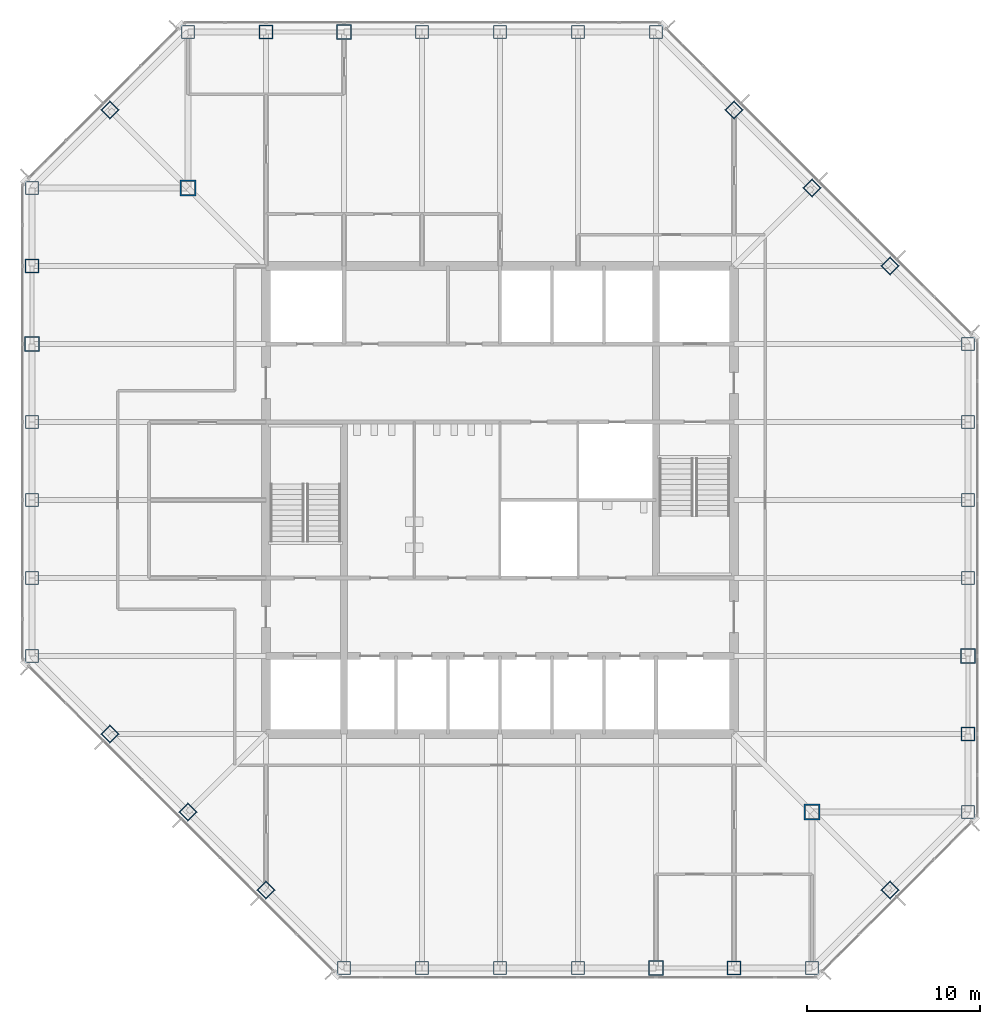
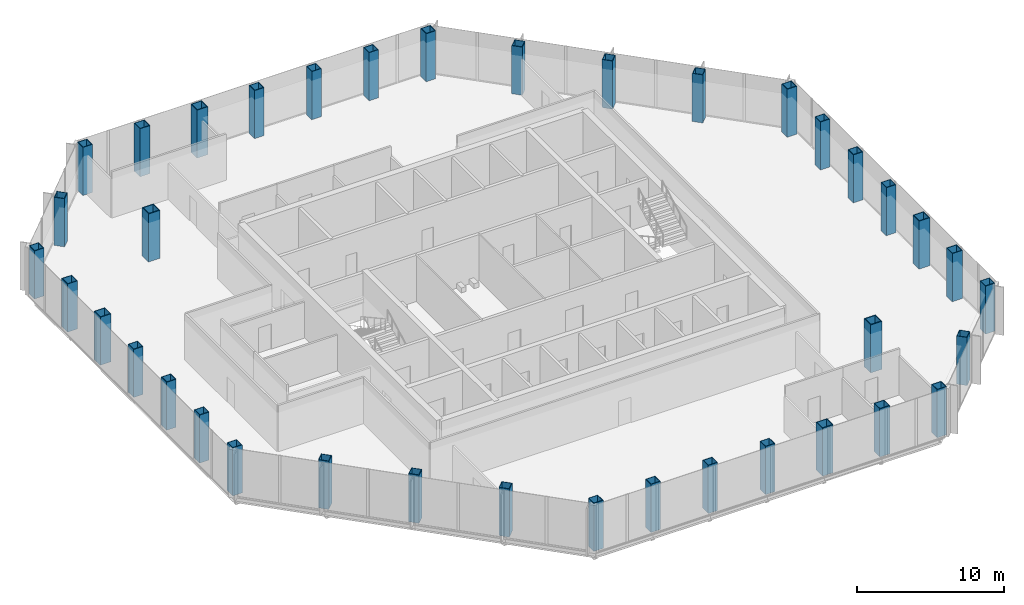
# One storey, part 1 of 12: 38 columns.
"""IFC4 building model written with IfcOpenShell, lengths in metres."""

from ifc_helpers import new_model, si_unit, direction, frame, origin, origin_2d, place, context, subcontext, project, spatial, hollow_rectangle, extrude, material, material_profile, profile_set, type_object, element, save


model = new_model("IFC4")

# Units and contexts
model_context = context("Model", 3, precision=1e-05, world=origin(), true_north=direction((0.0, 1.0)))
body_context = subcontext(model_context, "Body", "Model", "MODEL_VIEW")
ifc_project = project(units=[si_unit("LENGTHUNIT", "METRE"), si_unit("AREAUNIT", "SQUARE_METRE"), si_unit("VOLUMEUNIT", "CUBIC_METRE"), si_unit("PLANEANGLEUNIT", "RADIAN"), si_unit("MASSUNIT", "GRAM", prefix="KILO")], contexts=[model_context])

# Site, building, storey
site_placement = place(None, origin())
site = spatial("IfcSite", under=ifc_project, at=site_placement, CompositionType="ELEMENT")
building_placement = place(site_placement, origin())
building = spatial("IfcBuilding", under=site, at=building_placement, Name="Corais Broadcast Tower", CompositionType="ELEMENT")
storey_placement = place(building_placement, frame((0.0, 0.0, 131.60009765625)))
storey = spatial("IfcBuildingStorey", under=building, at=storey_placement, Name="L29", CompositionType="ELEMENT", Elevation=131.60009765625)

# Columns
ifc_material_1 = material(Name="Steel ASTM A572 Grade 50", Category="steel")
ifc_material_profile_1 = material_profile(ifc_material_1, hollow_rectangle(XDim=0.75, YDim=0.75, WallThickness=0.0400390625, at=origin_2d()), Name="BOX 750x750x40")
ifc_profile_set_1 = profile_set([ifc_material_profile_1], Name="Steel ASTM A572 Grade 50")
column_type_1 = type_object("IfcColumnType", Name="Column BOX 750x750x40", PredefinedType="COLUMN", material=ifc_profile_set_1)
for number, where, z_axis, x_axis, name in (
    (1, (18.0, 0.0, 0.0), (0.0, 0.0, 1.0), (1.0, 0.0, 0.0), "C4 A/7"),
    (2, (22.5, 0.0, 0.0), (0.0, 0.0, 1.0), (1.0, 0.0, 0.0), "C4 A/8"),
    (3, (27.0, 0.0, 0.0), (0.0, 0.0, 1.0), (1.0, 0.0, 0.0), "C4 A/9"),
    (4, (31.5, 0.0, 0.0), (0.0, 0.0, 1.0), (1.0, 0.0, 0.0), "C4 A/10"),
    (5, (45.0, 0.0, 0.0), (0.0, 0.0, 1.0), (1.0, 0.0, 0.0), "C4 A/13"),
    (6, (54.0, 9.0, 0.0), (0.0, 0.0, 1.0), (1.0, 0.0, 0.0), "C4 C/15"),
    (7, (54.0, 22.5, 0.0), (0.0, 0.0, 1.0), (1.0, 0.0, 0.0), "C4 F/15"),
    (8, (54.0, 27.0, 0.0), (0.0, 0.0, 1.0), (1.0, 0.0, 0.0), "C4 G/15"),
    (9, (54.0, 31.5, 0.0), (0.0, 0.0, 1.0), (1.0, 0.0, 0.0), "C4 H/15"),
    (10, (54.0, 36.0, 0.0), (0.0, 0.0, 1.0), (1.0, 0.0, 0.0), "C4 J/15"),
    (11, (36.0, 54.0, 0.0), (0.0, 0.0, 1.0), (1.0, 0.0, 0.0), "C4 N/11"),
    (12, (31.5, 54.0, 0.0), (0.0, 0.0, 1.0), (1.0, 0.0, 0.0), "C4 N/10"),
    (13, (27.0, 54.0, 0.0), (0.0, 0.0, 1.0), (1.0, 0.0, 0.0), "C4 N/9"),
    (14, (22.5, 54.0, 0.0), (0.0, 0.0, 1.0), (1.0, 0.0, 0.0), "C4 N/8"),
    (15, (9.0, 54.0, 0.0), (0.0, 0.0, 1.0), (1.0, 0.0, 0.0), "C4 N/5"),
    (16, (0.0, 45.0, 0.0), (0.0, 0.0, 1.0), (1.0, 0.0, 0.0), "C4 L/3"),
    (17, (0.0, 31.5, 0.0), (0.0, 0.0, 1.0), (1.0, 0.0, 0.0), "C4 H/3"),
    (18, (0.0, 27.0, 0.0), (0.0, 0.0, 1.0), (1.0, 0.0, 0.0), "C4 G/3"),
    (19, (0.0, 22.5, 0.0), (0.0, 0.0, 1.0), (1.0, 0.0, 0.0), "C4 F/3"),
    (20, (0.0, 18.0, 0.0), (0.0, 0.0, 1.0), (1.0, 0.0, 0.0), "C4 E/3"),
    (21, (13.5, 4.5, 0.0), (0.0, 0.0, 1.0), (0.707106781187, 0.707106781187, 0.0), "C4 B/6"),
    (22, (9.0, 9.0, 0.0), (0.0, 0.0, 1.0), (0.707106781187, 0.707106781187, 0.0), "C4 C/5"),
    (23, (4.5, 13.5, 0.0), (0.0, 0.0, 1.0), (0.707106781187, 0.707106781187, 0.0), "C4 D/4"),
    (24, (49.5, 4.5, 0.0), (0.0, 0.0, 1.0), (0.707106781187, 0.707106781187, 0.0), "C4 B/14"),
    (25, (49.5, 40.5, 0.0), (0.0, 0.0, 1.0), (0.707106781187, 0.707106781187, 0.0), "C4 K/14"),
    (26, (45.0, 45.0, 0.0), (0.0, 0.0, 1.0), (0.707106781187, 0.707106781187, 0.0), "C4 L/13"),
    (27, (40.5, 49.5, 0.0), (0.0, 0.0, 1.0), (0.707106781187, 0.707106781187, 0.0), "C4 M/12"),
    (28, (4.5, 49.5, 0.0), (0.0, 0.0, 1.0), (0.707106781187, 0.707106781187, 0.0), "C4 M/4"),
):
    element("IfcColumn", number, at=place(storey_placement, frame(where, z_axis=z_axis, x_axis=x_axis)), inside=storey, type_object=column_type_1, Name=name, PredefinedType="COLUMN", context=body_context, shape_type="SweptSolid", body=[
        extrude(hollow_rectangle(XDim=0.75, YDim=0.75, WallThickness=0.0400390625, at=origin_2d()), origin(), (0.0, 0.0, 1.0), 4.0),
    ])
ifc_material_2 = material(Name="Steel ASTM A572 Grade 50", Category="steel")
ifc_material_profile_2 = material_profile(ifc_material_2, hollow_rectangle(XDim=0.800048828125, YDim=0.800048828125, WallThickness=0.044921875, at=origin_2d()), Name="BOX 800x800x45")
ifc_profile_set_2 = profile_set([ifc_material_profile_2], Name="Steel ASTM A572 Grade 50")
column_type_2 = type_object("IfcColumnType", Name="Column BOX 800x800x45", PredefinedType="COLUMN", material=ifc_profile_set_2)
for number, where, z_axis, x_axis, name in (
    (29, (40.5, 0.0, 0.0), (0.0, 0.0, 1.0), (1.0, 0.0, 0.0), "C3 A/12"),
    (30, (54.0, 13.5, 0.0), (0.0, 0.0, 1.0), (1.0, 0.0, 0.0), "C3 D/15"),
    (31, (13.5, 54.0, 0.0), (0.0, 0.0, 1.0), (1.0, 0.0, 0.0), "C3 N/6"),
    (32, (0.0, 40.5, 0.0), (0.0, 0.0, 1.0), (1.0, 0.0, 0.0), "C3 K/3"),
):
    element("IfcColumn", number, at=place(storey_placement, frame(where, z_axis=z_axis, x_axis=x_axis)), inside=storey, type_object=column_type_2, Name=name, PredefinedType="COLUMN", context=body_context, shape_type="SweptSolid", body=[
        extrude(hollow_rectangle(XDim=0.800048828125, YDim=0.800048828125, WallThickness=0.044921875, at=origin_2d()), origin(), (0.0, 0.0, 1.0), 4.0),
    ])
ifc_material_3 = material(Name="Steel ASTM A572 Grade 50", Category="steel")
ifc_material_profile_3 = material_profile(ifc_material_3, hollow_rectangle(XDim=0.85009765625, YDim=0.85009765625, WallThickness=0.050048828125, at=origin_2d()), Name="BOX 850x850x50")
ifc_profile_set_3 = profile_set([ifc_material_profile_3], Name="Steel ASTM A572 Grade 50")
column_type_3 = type_object("IfcColumnType", Name="Column BOX 850x850x50", PredefinedType="COLUMN", material=ifc_profile_set_3)
for number, where, z_axis, x_axis, name in (
    (33, (36.0, 0.0, 0.0), (0.0, 0.0, 1.0), (1.0, 0.0, 0.0), "C1 A/11"),
    (34, (54.0, 18.0, 0.0), (0.0, 0.0, 1.0), (1.0, 0.0, 0.0), "C1 E/15"),
    (35, (18.0, 54.0, 0.0), (0.0, 0.0, 1.0), (1.0, 0.0, 0.0), "C1 N/7"),
    (36, (0.0, 36.0, 0.0), (0.0, 0.0, 1.0), (1.0, 0.0, 0.0), "C1 J/3"),
):
    element("IfcColumn", number, at=place(storey_placement, frame(where, z_axis=z_axis, x_axis=x_axis)), inside=storey, type_object=column_type_3, Name=name, PredefinedType="COLUMN", context=body_context, shape_type="SweptSolid", body=[
        extrude(hollow_rectangle(XDim=0.85009765625, YDim=0.85009765625, WallThickness=0.050048828125, at=origin_2d()), origin(), (0.0, 0.0, 1.0), 4.0),
    ])
ifc_material_4 = material(Name="Steel ASTM A572 Grade 50", Category="steel")
ifc_material_profile_4 = material_profile(ifc_material_4, hollow_rectangle(XDim=0.89990234375, YDim=0.89990234375, WallThickness=0.06298828125, at=origin_2d()), Name="BOX 900x900x63")
ifc_profile_set_4 = profile_set([ifc_material_profile_4], Name="Steel ASTM A572 Grade 50")
column_type_4 = type_object("IfcColumnType", Name="Column BOX 900x900x63", PredefinedType="COLUMN", material=ifc_profile_set_4)
for number, where, z_axis, x_axis, name in (
    (37, (45.0, 9.0, 0.0), (0.0, 0.0, 1.0), (1.0, 0.0, 0.0), "C2 C/13"),
    (38, (9.0, 45.0, 0.0), (0.0, 0.0, 1.0), (1.0, 0.0, 0.0), "C2 L/5"),
):
    element("IfcColumn", number, at=place(storey_placement, frame(where, z_axis=z_axis, x_axis=x_axis)), inside=storey, type_object=column_type_4, Name=name, PredefinedType="COLUMN", context=body_context, shape_type="SweptSolid", body=[
        extrude(hollow_rectangle(XDim=0.89990234375, YDim=0.89990234375, WallThickness=0.06298828125, at=origin_2d()), origin(), (0.0, 0.0, 1.0), 4.0),
    ])

save(model, "model.ifc")
